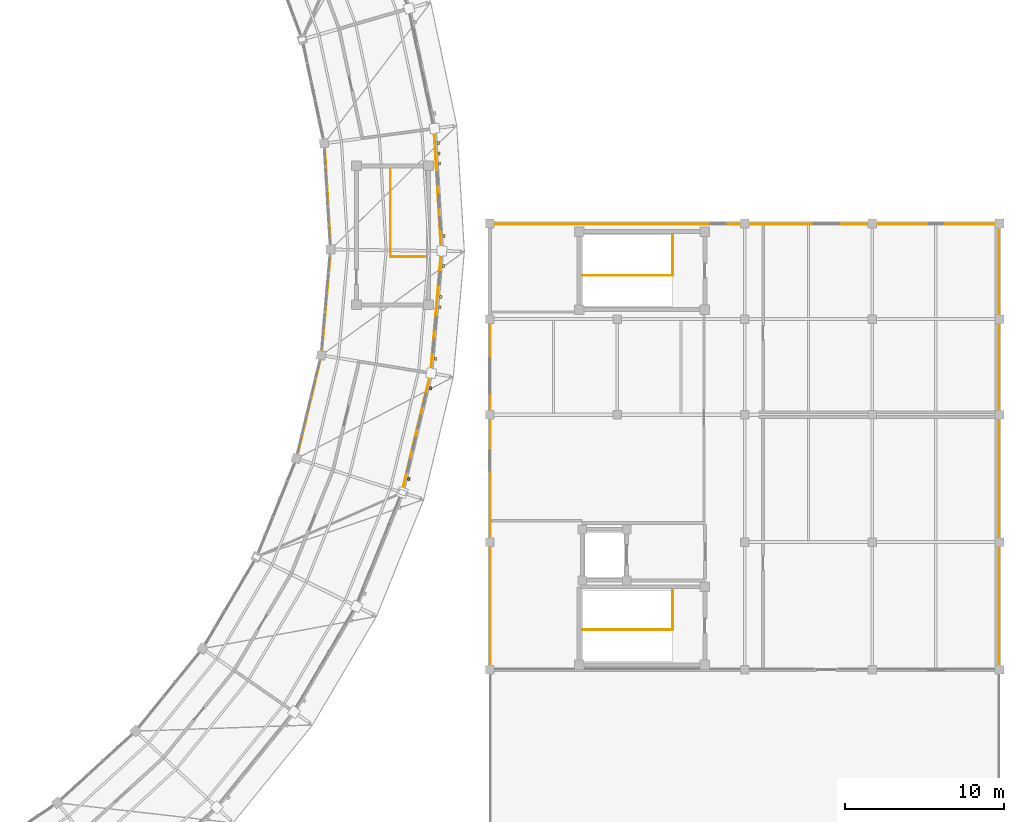
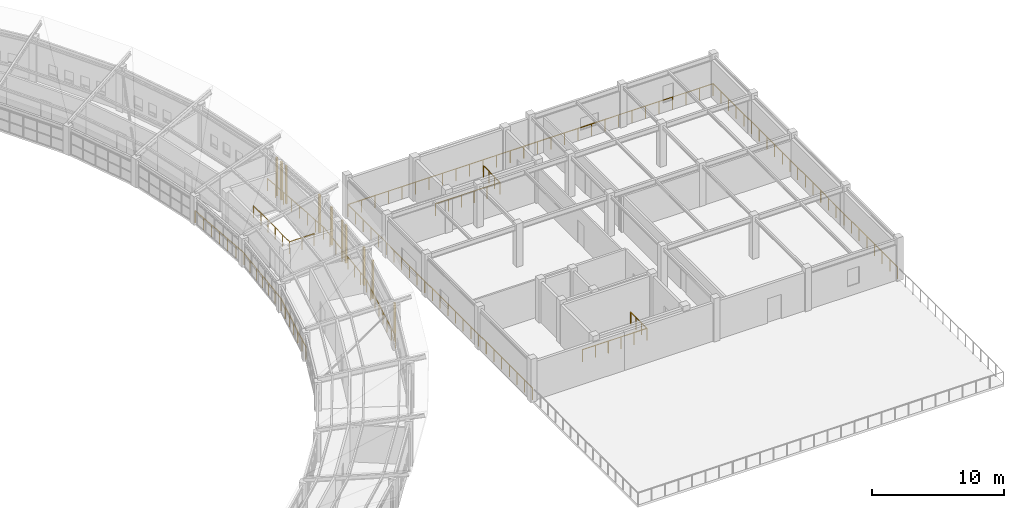
# One storey, part 148 of 149: 15 railings, 10 coverings.
"""IFC4 building model written with IfcOpenShell, lengths in metres."""

from ifc_helpers import new_model, si_unit, direction, frame, origin, origin_2d, place, context, subcontext, project, spatial, rectangle, circle, extrude, material, layer, layer_set, type_object, element, save


model = new_model("IFC4")

# Units and contexts
model_context = context("Model", 3, precision=1e-05, world=origin(), true_north=direction((0.0, 1.0)))
body_context = subcontext(model_context, "Body", "Model", "MODEL_VIEW")
ifc_project = project(units=[si_unit("LENGTHUNIT", "METRE"), si_unit("AREAUNIT", "SQUARE_METRE"), si_unit("VOLUMEUNIT", "CUBIC_METRE"), si_unit("PLANEANGLEUNIT", "RADIAN"), si_unit("MASSUNIT", "GRAM", prefix="KILO")], contexts=[model_context])

# Site, building, storey
site_placement = place(None, origin())
site = spatial("IfcSite", under=ifc_project, at=site_placement, CompositionType="ELEMENT")
building_placement = place(site_placement, origin())
building = spatial("IfcBuilding", under=site, at=building_placement, Name="Celadon Cloister-Ring School", CompositionType="ELEMENT")
storey_placement = place(building_placement, frame((0.0, 0.0, 12.5)))
storey = spatial("IfcBuildingStorey", under=building, at=storey_placement, Name="L03", CompositionType="ELEMENT", Elevation=12.5)

# Coverings
ifc_material_1 = material(Name="Perforated terracotta clay brick masonry", Category="masonry")
ifc_layer = layer(ifc_material_1, 0.139892578125)
ifc_layer_set = layer_set([ifc_layer], Name="Perforated terracotta clay brick masonry")
covering_type = type_object("IfcCoveringType", Name="CV-SC1", PredefinedType="CLADDING", material=ifc_layer_set)
for number, where, z_axis, x_axis, name in (
    (1, (138.27294921875, 49.6650390625, -0.00048828125), (0.0, 0.0, 1.0), (-0.233988401232, -0.972239388263, 0.0), "Brick Screen Rib 0398"),
    (2, (136.904052734375, 43.97705078125, -0.00048828125), (0.0, 0.0, 1.0), (-0.233988401232, -0.972239388263, 0.0), "Brick Screen Rib 0399"),
    (3, (139.090087890625, 57.342041015625, -0.00048828125), (0.0, 0.0, 1.0), (-0.087972896574, -0.996122868661, 0.0), "Brick Screen Rib 0400"),
    (4, (138.9189453125, 55.39990234375, -0.00048828125), (0.0, 0.0, 1.0), (-0.087972896574, -0.996122868661, 0.0), "Brick Screen Rib 0401"),
    (5, (138.861083984375, 54.751953125, -0.00048828125), (0.0, 0.0, 1.0), (-0.087972896574, -0.996122868661, 0.0), "Brick Screen Rib 0402"),
    (6, (138.574951171875, 51.514892578125, -0.00048828125), (0.0, 0.0, 1.0), (-0.087972896574, -0.996122868661, 0.0), "Brick Screen Rib 0403"),
    (7, (138.763916015625, 65.055908203125, -0.00048828125), (0.0, 0.0, 1.0), (0.060142636109, -0.998189793237, 0.0), "Brick Screen Rib 0404"),
    (8, (138.802978515625, 64.407958984375, -0.00048828125), (0.0, 0.0, 1.0), (0.060142636109, -0.998189793237, 0.0), "Brick Screen Rib 0405"),
    (9, (138.842041015625, 63.759033203125, -0.00048828125), (0.0, 0.0, 1.0), (0.060142636109, -0.998189793237, 0.0), "Brick Screen Rib 0406"),
    (10, (139.115966796875, 59.217041015625, -0.00048828125), (0.0, 0.0, 1.0), (0.060142636109, -0.998189793237, 0.0), "Brick Screen Rib 0407"),
):
    element("IfcCovering", number, at=place(storey_placement, frame(where, z_axis=z_axis, x_axis=x_axis)), inside=storey, type_object=covering_type, Name=name, PredefinedType="CLADDING", context=body_context, shape_type="SweptSolid", body=[
        extrude(rectangle(XDim=0.179931640625, YDim=0.139892578125, at=origin_2d()), origin(), (0.0, 0.0, 1.0), 3.51708984375),
    ])

# Railings
ifc_material_2 = material(Name="Structural steel S355JR", Category="steel")
railing_type_1 = type_object("IfcRailingType", Name="RL-BL1", PredefinedType="BALUSTRADE", material=ifc_material_2)
railing_1_placement = place(storey_placement, frame((136.47705078125, 43.1298828125, 0.0)))
element("IfcRailing", 11, at=railing_1_placement, inside=storey, type_object=railing_type_1, Name="Terrace Balustrade 0171", PredefinedType="BALUSTRADE", context=body_context, shape_type="SweptSolid", body=[
    extrude(circle(Radius=0.02392578125, at=origin_2d()), frame((0.0, 0.0, 1.09619140625), z_axis=(0.234086591506, 0.972215751609, 0.0), x_axis=(-0.972215751609, 0.234086591506, 0.0)), (0.0, 0.0, 1.0), 7.697998046875),
    extrude(circle(Radius=0.02099609375, at=origin_2d()), origin(), (0.0, 0.0, 1.0), 1.072021484375),
    extrude(circle(Radius=0.02099609375, at=origin_2d()), frame((0.25732421875, 1.069091796875, 0.0)), (0.0, 0.0, 1.0), 1.072021484375),
    extrude(circle(Radius=0.02099609375, at=origin_2d()), frame((0.514892578125, 2.138427734375, 0.0)), (0.0, 0.0, 1.0), 1.072021484375),
    extrude(circle(Radius=0.02099609375, at=origin_2d()), frame((0.772216796875, 3.20751953125, 0.0)), (0.0, 0.0, 1.0), 1.072021484375),
    extrude(circle(Radius=0.02099609375, at=origin_2d()), frame((1.02978515625, 4.276611328125, 0.0)), (0.0, 0.0, 1.0), 1.072021484375),
    extrude(circle(Radius=0.02099609375, at=origin_2d()), frame((1.287109375, 5.345703125, 0.0)), (0.0, 0.0, 1.0), 1.072021484375),
    extrude(circle(Radius=0.02099609375, at=origin_2d()), frame((1.544677734375, 6.4150390625, 0.0)), (0.0, 0.0, 1.0), 1.072021484375),
    extrude(circle(Radius=0.02099609375, at=origin_2d()), frame((1.802001953125, 7.484130859375, 0.0)), (0.0, 0.0, 1.0), 1.072021484375),
])
railing_2_placement = place(storey_placement, frame((138.279052734375, 50.614013671875, 0.0)))
element("IfcRailing", 12, at=railing_2_placement, inside=storey, type_object=railing_type_1, Name="Terrace Balustrade 0172", PredefinedType="BALUSTRADE", context=body_context, shape_type="SweptSolid", body=[
    extrude(circle(Radius=0.02392578125, at=origin_2d()), frame((0.0, 0.0, 1.09619140625), z_axis=(0.08782161192, 0.996136217834, 0.0), x_axis=(-0.996136217834, 0.08782161192, 0.0)), (0.0, 0.0, 1.0), 7.69775390625),
    extrude(circle(Radius=0.02099609375, at=origin_2d()), origin(), (0.0, 0.0, 1.0), 1.072021484375),
    extrude(circle(Radius=0.02099609375, at=origin_2d()), frame((0.0966796875, 1.095458984375, 0.0)), (0.0, 0.0, 1.0), 1.072021484375),
    extrude(circle(Radius=0.02099609375, at=origin_2d()), frame((0.193115234375, 2.19091796875, 0.0)), (0.0, 0.0, 1.0), 1.072021484375),
    extrude(circle(Radius=0.02099609375, at=origin_2d()), frame((0.289794921875, 3.286376953125, 0.0)), (0.0, 0.0, 1.0), 1.072021484375),
    extrude(circle(Radius=0.02099609375, at=origin_2d()), frame((0.38623046875, 4.381591796875, 0.0)), (0.0, 0.0, 1.0), 1.072021484375),
    extrude(circle(Radius=0.02099609375, at=origin_2d()), frame((0.48291015625, 5.47705078125, 0.0)), (0.0, 0.0, 1.0), 1.072021484375),
    extrude(circle(Radius=0.02099609375, at=origin_2d()), frame((0.579345703125, 6.572509765625, 0.0)), (0.0, 0.0, 1.0), 1.072021484375),
    extrude(circle(Radius=0.02099609375, at=origin_2d()), frame((0.676025390625, 7.66796875, 0.0)), (0.0, 0.0, 1.0), 1.072021484375),
])
railing_3_placement = place(storey_placement, frame((138.955078125, 58.281982421875, 0.0)))
element("IfcRailing", 13, at=railing_3_placement, inside=storey, type_object=railing_type_1, Name="Terrace Balustrade 0173", PredefinedType="BALUSTRADE", context=body_context, shape_type="SweptSolid", body=[
    extrude(circle(Radius=0.02392578125, at=origin_2d()), frame((0.0, 0.0, 1.09619140625), z_axis=(-0.060289190769, 0.998180952271, 0.0), x_axis=(-0.998180952271, -0.060289190769, 0.0)), (0.0, 0.0, 1.0), 7.697998046875),
    extrude(circle(Radius=0.02099609375, at=origin_2d()), origin(), (0.0, 0.0, 1.0), 1.072021484375),
    extrude(circle(Radius=0.02099609375, at=origin_2d()), frame((-0.06640625, 1.09765625, 0.0)), (0.0, 0.0, 1.0), 1.072021484375),
    extrude(circle(Radius=0.02099609375, at=origin_2d()), frame((-0.132568359375, 2.195556640625, 0.0)), (0.0, 0.0, 1.0), 1.072021484375),
    extrude(circle(Radius=0.02099609375, at=origin_2d()), frame((-0.198974609375, 3.293212890625, 0.0)), (0.0, 0.0, 1.0), 1.072021484375),
    extrude(circle(Radius=0.02099609375, at=origin_2d()), frame((-0.26513671875, 4.390869140625, 0.0)), (0.0, 0.0, 1.0), 1.072021484375),
    extrude(circle(Radius=0.02099609375, at=origin_2d()), frame((-0.33154296875, 5.488525390625, 0.0)), (0.0, 0.0, 1.0), 1.072021484375),
    extrude(circle(Radius=0.02099609375, at=origin_2d()), frame((-0.397705078125, 6.58642578125, 0.0)), (0.0, 0.0, 1.0), 1.072021484375),
    extrude(circle(Radius=0.02099609375, at=origin_2d()), frame((-0.464111328125, 7.68408203125, 0.0)), (0.0, 0.0, 1.0), 1.072021484375),
])
railing_4_placement = place(storey_placement, frame((129.887939453125, 45.242919921875, 0.0)))
element("IfcRailing", 14, at=railing_4_placement, inside=storey, type_object=railing_type_1, Name="Terrace Balustrade 0206", PredefinedType="BALUSTRADE", context=body_context, shape_type="SweptSolid", body=[
    extrude(circle(Radius=0.02392578125, at=origin_2d()), frame((0.0, 0.0, 1.09619140625), z_axis=(0.234064724834, 0.972221016327, 0.0), x_axis=(-0.972221016327, 0.234064724834, 0.0)), (0.0, 0.0, 1.0), 6.67333984375),
    extrude(circle(Radius=0.02099609375, at=origin_2d()), origin(), (0.0, 0.0, 1.0), 1.072021484375),
    extrude(circle(Radius=0.02099609375, at=origin_2d()), frame((0.26025390625, 1.081298828125, 0.0)), (0.0, 0.0, 1.0), 1.072021484375),
    extrude(circle(Radius=0.02099609375, at=origin_2d()), frame((0.520751953125, 2.16259765625, 0.0)), (0.0, 0.0, 1.0), 1.072021484375),
    extrude(circle(Radius=0.02099609375, at=origin_2d()), frame((0.781005859375, 3.244140625, 0.0)), (0.0, 0.0, 1.0), 1.072021484375),
    extrude(circle(Radius=0.02099609375, at=origin_2d()), frame((1.041259765625, 4.325439453125, 0.0)), (0.0, 0.0, 1.0), 1.072021484375),
    extrude(circle(Radius=0.02099609375, at=origin_2d()), frame((1.3017578125, 5.40673828125, 0.0)), (0.0, 0.0, 1.0), 1.072021484375),
    extrude(circle(Radius=0.02099609375, at=origin_2d()), frame((1.56201171875, 6.488037109375, 0.0)), (0.0, 0.0, 1.0), 1.072021484375),
])
railing_5_placement = place(storey_placement, frame((131.449951171875, 51.73095703125, 0.0)))
element("IfcRailing", 15, at=railing_5_placement, inside=storey, type_object=railing_type_1, Name="Terrace Balustrade 0207", PredefinedType="BALUSTRADE", context=body_context, shape_type="SweptSolid", body=[
    extrude(circle(Radius=0.02392578125, at=origin_2d()), frame((0.0, 0.0, 1.09619140625), z_axis=(0.087823325262, 0.99613606678, 0.0), x_axis=(-0.99613606678, 0.087823325262, 0.0)), (0.0, 0.0, 1.0), 6.671875),
    extrude(circle(Radius=0.02099609375, at=origin_2d()), origin(), (0.0, 0.0, 1.0), 1.072021484375),
    extrude(circle(Radius=0.02099609375, at=origin_2d()), frame((0.09765625, 1.107666015625, 0.0)), (0.0, 0.0, 1.0), 1.072021484375),
    extrude(circle(Radius=0.02099609375, at=origin_2d()), frame((0.1953125, 2.21533203125, 0.0)), (0.0, 0.0, 1.0), 1.072021484375),
    extrude(circle(Radius=0.02099609375, at=origin_2d()), frame((0.29296875, 3.322998046875, 0.0)), (0.0, 0.0, 1.0), 1.072021484375),
    extrude(circle(Radius=0.02099609375, at=origin_2d()), frame((0.390625, 4.4306640625, 0.0)), (0.0, 0.0, 1.0), 1.072021484375),
    extrude(circle(Radius=0.02099609375, at=origin_2d()), frame((0.48828125, 5.538330078125, 0.0)), (0.0, 0.0, 1.0), 1.072021484375),
    extrude(circle(Radius=0.02099609375, at=origin_2d()), frame((0.5859375, 6.64599609375, 0.0)), (0.0, 0.0, 1.0), 1.072021484375),
])
railing_6_placement = place(storey_placement, frame((132.035888671875, 58.376953125, 0.0)))
element("IfcRailing", 16, at=railing_6_placement, inside=storey, type_object=railing_type_1, Name="Terrace Balustrade 0208", PredefinedType="BALUSTRADE", context=body_context, shape_type="SweptSolid", body=[
    extrude(circle(Radius=0.02392578125, at=origin_2d()), frame((0.0, 0.0, 1.09619140625), z_axis=(-0.060364720691, 0.998176387467, 0.0), x_axis=(-0.998176387467, -0.060364720691, 0.0)), (0.0, 0.0, 1.0), 6.67333984375),
    extrude(circle(Radius=0.02099609375, at=origin_2d()), origin(), (0.0, 0.0, 1.0), 1.072021484375),
    extrude(circle(Radius=0.02099609375, at=origin_2d()), frame((-0.067138671875, 1.110107421875, 0.0)), (0.0, 0.0, 1.0), 1.072021484375),
    extrude(circle(Radius=0.02099609375, at=origin_2d()), frame((-0.13427734375, 2.220458984375, 0.0)), (0.0, 0.0, 1.0), 1.072021484375),
    extrude(circle(Radius=0.02099609375, at=origin_2d()), frame((-0.201416015625, 3.33056640625, 0.0)), (0.0, 0.0, 1.0), 1.072021484375),
    extrude(circle(Radius=0.02099609375, at=origin_2d()), frame((-0.2685546875, 4.440673828125, 0.0)), (0.0, 0.0, 1.0), 1.072021484375),
    extrude(circle(Radius=0.02099609375, at=origin_2d()), frame((-0.335693359375, 5.551025390625, 0.0)), (0.0, 0.0, 1.0), 1.072021484375),
    extrude(circle(Radius=0.02099609375, at=origin_2d()), frame((-0.40283203125, 6.6611328125, 0.0)), (0.0, 0.0, 1.0), 1.072021484375),
])
railing_7_placement = place(storey_placement, frame((142.0400390625, 32.0400390625, 0.0)))
element("IfcRailing", 17, at=railing_7_placement, inside=storey, type_object=railing_type_1, Name="Terrace Balustrade 0439", PredefinedType="BALUSTRADE", context=body_context, shape_type="SweptSolid", body=[
    extrude(circle(Radius=0.02392578125, at=origin_2d()), frame((0.0, 0.0, 1.09619140625), z_axis=(0.0, 1.0, 0.0), x_axis=(-1.0, 0.0, 0.0)), (0.0, 0.0, 1.0), 27.919921875),
    extrude(circle(Radius=0.02099609375, at=origin_2d()), origin(), (0.0, 0.0, 1.0), 1.072021484375),
    extrude(circle(Radius=0.02099609375, at=origin_2d()), frame((0.0, 1.163330078125, 0.0)), (0.0, 0.0, 1.0), 1.072021484375),
    extrude(circle(Radius=0.02099609375, at=origin_2d()), frame((0.0, 2.32666015625, 0.0)), (0.0, 0.0, 1.0), 1.072021484375),
    extrude(circle(Radius=0.02099609375, at=origin_2d()), frame((0.0, 3.489990234375, 0.0)), (0.0, 0.0, 1.0), 1.072021484375),
    extrude(circle(Radius=0.02099609375, at=origin_2d()), frame((0.0, 4.6533203125, 0.0)), (0.0, 0.0, 1.0), 1.072021484375),
    extrude(circle(Radius=0.02099609375, at=origin_2d()), frame((0.0, 5.816650390625, 0.0)), (0.0, 0.0, 1.0), 1.072021484375),
    extrude(circle(Radius=0.02099609375, at=origin_2d()), frame((0.0, 6.97998046875, 0.0)), (0.0, 0.0, 1.0), 1.072021484375),
    extrude(circle(Radius=0.02099609375, at=origin_2d()), frame((0.0, 8.143310546875, 0.0)), (0.0, 0.0, 1.0), 1.072021484375),
    extrude(circle(Radius=0.02099609375, at=origin_2d()), frame((0.0, 9.306640625, 0.0)), (0.0, 0.0, 1.0), 1.072021484375),
    extrude(circle(Radius=0.02099609375, at=origin_2d()), frame((0.0, 10.469970703125, 0.0)), (0.0, 0.0, 1.0), 1.072021484375),
    extrude(circle(Radius=0.02099609375, at=origin_2d()), frame((0.0, 11.63330078125, 0.0)), (0.0, 0.0, 1.0), 1.072021484375),
    extrude(circle(Radius=0.02099609375, at=origin_2d()), frame((0.0, 12.796630859375, 0.0)), (0.0, 0.0, 1.0), 1.072021484375),
    extrude(circle(Radius=0.02099609375, at=origin_2d()), frame((0.0, 13.9599609375, 0.0)), (0.0, 0.0, 1.0), 1.072021484375),
    extrude(circle(Radius=0.02099609375, at=origin_2d()), frame((0.0, 15.123291015625, 0.0)), (0.0, 0.0, 1.0), 1.072021484375),
    extrude(circle(Radius=0.02099609375, at=origin_2d()), frame((0.0, 16.28662109375, 0.0)), (0.0, 0.0, 1.0), 1.072021484375),
    extrude(circle(Radius=0.02099609375, at=origin_2d()), frame((0.0, 17.449951171875, 0.0)), (0.0, 0.0, 1.0), 1.072021484375),
    extrude(circle(Radius=0.02099609375, at=origin_2d()), frame((0.0, 18.61328125, 0.0)), (0.0, 0.0, 1.0), 1.072021484375),
    extrude(circle(Radius=0.02099609375, at=origin_2d()), frame((0.0, 19.776611328125, 0.0)), (0.0, 0.0, 1.0), 1.072021484375),
    extrude(circle(Radius=0.02099609375, at=origin_2d()), frame((0.0, 20.93994140625, 0.0)), (0.0, 0.0, 1.0), 1.072021484375),
    extrude(circle(Radius=0.02099609375, at=origin_2d()), frame((0.0, 22.103271484375, 0.0)), (0.0, 0.0, 1.0), 1.072021484375),
    extrude(circle(Radius=0.02099609375, at=origin_2d()), frame((0.0, 23.2666015625, 0.0)), (0.0, 0.0, 1.0), 1.072021484375),
    extrude(circle(Radius=0.02099609375, at=origin_2d()), frame((0.0, 24.429931640625, 0.0)), (0.0, 0.0, 1.0), 1.072021484375),
    extrude(circle(Radius=0.02099609375, at=origin_2d()), frame((0.0, 25.59326171875, 0.0)), (0.0, 0.0, 1.0), 1.072021484375),
    extrude(circle(Radius=0.02099609375, at=origin_2d()), frame((0.0, 26.756591796875, 0.0)), (0.0, 0.0, 1.0), 1.072021484375),
    extrude(circle(Radius=0.02099609375, at=origin_2d()), frame((0.0, 27.919921875, 0.0)), (0.0, 0.0, 1.0), 1.072021484375),
])
railing_8_placement = place(storey_placement, frame((142.0400390625, 59.9599609375, 0.0)))
element("IfcRailing", 18, at=railing_8_placement, inside=storey, type_object=railing_type_1, Name="Terrace Balustrade 0440", PredefinedType="BALUSTRADE", context=body_context, shape_type="SweptSolid", body=[
    extrude(circle(Radius=0.02392578125, at=origin_2d()), frame((0.0, 0.0, 1.09619140625), z_axis=(1.0, 0.0, 0.0), x_axis=(0.0, 1.0, 0.0)), (0.0, 0.0, 1.0), 31.919921875),
    extrude(circle(Radius=0.02099609375, at=origin_2d()), origin(), (0.0, 0.0, 1.0), 1.072021484375),
    extrude(circle(Radius=0.02099609375, at=origin_2d()), frame((1.18212890625, 0.0, 0.0)), (0.0, 0.0, 1.0), 1.072021484375),
    extrude(circle(Radius=0.02099609375, at=origin_2d()), frame((2.364501953125, 0.0, 0.0)), (0.0, 0.0, 1.0), 1.072021484375),
    extrude(circle(Radius=0.02099609375, at=origin_2d()), frame((3.546630859375, 0.0, 0.0)), (0.0, 0.0, 1.0), 1.072021484375),
    extrude(circle(Radius=0.02099609375, at=origin_2d()), frame((4.728759765625, 0.0, 0.0)), (0.0, 0.0, 1.0), 1.072021484375),
    extrude(circle(Radius=0.02099609375, at=origin_2d()), frame((5.9111328125, 0.0, 0.0)), (0.0, 0.0, 1.0), 1.072021484375),
    extrude(circle(Radius=0.02099609375, at=origin_2d()), frame((7.09326171875, 0.0, 0.0)), (0.0, 0.0, 1.0), 1.072021484375),
    extrude(circle(Radius=0.02099609375, at=origin_2d()), frame((8.275634765625, 0.0, 0.0)), (0.0, 0.0, 1.0), 1.072021484375),
    extrude(circle(Radius=0.02099609375, at=origin_2d()), frame((9.457763671875, 0.0, 0.0)), (0.0, 0.0, 1.0), 1.072021484375),
    extrude(circle(Radius=0.02099609375, at=origin_2d()), frame((10.639892578125, 0.0, 0.0)), (0.0, 0.0, 1.0), 1.072021484375),
    extrude(circle(Radius=0.02099609375, at=origin_2d()), frame((11.822265625, 0.0, 0.0)), (0.0, 0.0, 1.0), 1.072021484375),
    extrude(circle(Radius=0.02099609375, at=origin_2d()), frame((13.00439453125, 0.0, 0.0)), (0.0, 0.0, 1.0), 1.072021484375),
    extrude(circle(Radius=0.02099609375, at=origin_2d()), frame((14.1865234375, 0.0, 0.0)), (0.0, 0.0, 1.0), 1.072021484375),
    extrude(circle(Radius=0.02099609375, at=origin_2d()), frame((15.368896484375, 0.0, 0.0)), (0.0, 0.0, 1.0), 1.072021484375),
    extrude(circle(Radius=0.02099609375, at=origin_2d()), frame((16.551025390625, 0.0, 0.0)), (0.0, 0.0, 1.0), 1.072021484375),
    extrude(circle(Radius=0.02099609375, at=origin_2d()), frame((17.7333984375, 0.0, 0.0)), (0.0, 0.0, 1.0), 1.072021484375),
    extrude(circle(Radius=0.02099609375, at=origin_2d()), frame((18.91552734375, 0.0, 0.0)), (0.0, 0.0, 1.0), 1.072021484375),
    extrude(circle(Radius=0.02099609375, at=origin_2d()), frame((20.09765625, 0.0, 0.0)), (0.0, 0.0, 1.0), 1.072021484375),
    extrude(circle(Radius=0.02099609375, at=origin_2d()), frame((21.280029296875, 0.0, 0.0)), (0.0, 0.0, 1.0), 1.072021484375),
    extrude(circle(Radius=0.02099609375, at=origin_2d()), frame((22.462158203125, 0.0, 0.0)), (0.0, 0.0, 1.0), 1.072021484375),
    extrude(circle(Radius=0.02099609375, at=origin_2d()), frame((23.644287109375, 0.0, 0.0)), (0.0, 0.0, 1.0), 1.072021484375),
    extrude(circle(Radius=0.02099609375, at=origin_2d()), frame((24.82666015625, 0.0, 0.0)), (0.0, 0.0, 1.0), 1.072021484375),
    extrude(circle(Radius=0.02099609375, at=origin_2d()), frame((26.0087890625, 0.0, 0.0)), (0.0, 0.0, 1.0), 1.072021484375),
    extrude(circle(Radius=0.02099609375, at=origin_2d()), frame((27.191162109375, 0.0, 0.0)), (0.0, 0.0, 1.0), 1.072021484375),
    extrude(circle(Radius=0.02099609375, at=origin_2d()), frame((28.373291015625, 0.0, 0.0)), (0.0, 0.0, 1.0), 1.072021484375),
    extrude(circle(Radius=0.02099609375, at=origin_2d()), frame((29.555419921875, 0.0, 0.0)), (0.0, 0.0, 1.0), 1.072021484375),
    extrude(circle(Radius=0.02099609375, at=origin_2d()), frame((30.73779296875, 0.0, 0.0)), (0.0, 0.0, 1.0), 1.072021484375),
    extrude(circle(Radius=0.02099609375, at=origin_2d()), frame((31.919921875, 0.0, 0.0)), (0.0, 0.0, 1.0), 1.072021484375),
])
railing_9_placement = place(storey_placement, frame((173.9599609375, 59.9599609375, 0.0)))
element("IfcRailing", 19, at=railing_9_placement, inside=storey, type_object=railing_type_1, Name="Terrace Balustrade 0441", PredefinedType="BALUSTRADE", context=body_context, shape_type="SweptSolid", body=[
    extrude(circle(Radius=0.02392578125, at=origin_2d()), frame((0.0, 0.0, 1.09619140625), z_axis=(0.0, -1.0, 0.0), x_axis=(1.0, 0.0, 0.0)), (0.0, 0.0, 1.0), 27.919921875),
    extrude(circle(Radius=0.02099609375, at=origin_2d()), origin(), (0.0, 0.0, 1.0), 1.072021484375),
    extrude(circle(Radius=0.02099609375, at=origin_2d()), frame((0.0, -1.163330078125, 0.0)), (0.0, 0.0, 1.0), 1.072021484375),
    extrude(circle(Radius=0.02099609375, at=origin_2d()), frame((0.0, -2.32666015625, 0.0)), (0.0, 0.0, 1.0), 1.072021484375),
    extrude(circle(Radius=0.02099609375, at=origin_2d()), frame((0.0, -3.489990234375, 0.0)), (0.0, 0.0, 1.0), 1.072021484375),
    extrude(circle(Radius=0.02099609375, at=origin_2d()), frame((0.0, -4.6533203125, 0.0)), (0.0, 0.0, 1.0), 1.072021484375),
    extrude(circle(Radius=0.02099609375, at=origin_2d()), frame((0.0, -5.816650390625, 0.0)), (0.0, 0.0, 1.0), 1.072021484375),
    extrude(circle(Radius=0.02099609375, at=origin_2d()), frame((0.0, -6.97998046875, 0.0)), (0.0, 0.0, 1.0), 1.072021484375),
    extrude(circle(Radius=0.02099609375, at=origin_2d()), frame((0.0, -8.143310546875, 0.0)), (0.0, 0.0, 1.0), 1.072021484375),
    extrude(circle(Radius=0.02099609375, at=origin_2d()), frame((0.0, -9.306640625, 0.0)), (0.0, 0.0, 1.0), 1.072021484375),
    extrude(circle(Radius=0.02099609375, at=origin_2d()), frame((0.0, -10.469970703125, 0.0)), (0.0, 0.0, 1.0), 1.072021484375),
    extrude(circle(Radius=0.02099609375, at=origin_2d()), frame((0.0, -11.63330078125, 0.0)), (0.0, 0.0, 1.0), 1.072021484375),
    extrude(circle(Radius=0.02099609375, at=origin_2d()), frame((0.0, -12.796630859375, 0.0)), (0.0, 0.0, 1.0), 1.072021484375),
    extrude(circle(Radius=0.02099609375, at=origin_2d()), frame((0.0, -13.9599609375, 0.0)), (0.0, 0.0, 1.0), 1.072021484375),
    extrude(circle(Radius=0.02099609375, at=origin_2d()), frame((0.0, -15.123291015625, 0.0)), (0.0, 0.0, 1.0), 1.072021484375),
    extrude(circle(Radius=0.02099609375, at=origin_2d()), frame((0.0, -16.28662109375, 0.0)), (0.0, 0.0, 1.0), 1.072021484375),
    extrude(circle(Radius=0.02099609375, at=origin_2d()), frame((0.0, -17.449951171875, 0.0)), (0.0, 0.0, 1.0), 1.072021484375),
    extrude(circle(Radius=0.02099609375, at=origin_2d()), frame((0.0, -18.61328125, 0.0)), (0.0, 0.0, 1.0), 1.072021484375),
    extrude(circle(Radius=0.02099609375, at=origin_2d()), frame((0.0, -19.776611328125, 0.0)), (0.0, 0.0, 1.0), 1.072021484375),
    extrude(circle(Radius=0.02099609375, at=origin_2d()), frame((0.0, -20.93994140625, 0.0)), (0.0, 0.0, 1.0), 1.072021484375),
    extrude(circle(Radius=0.02099609375, at=origin_2d()), frame((0.0, -22.103271484375, 0.0)), (0.0, 0.0, 1.0), 1.072021484375),
    extrude(circle(Radius=0.02099609375, at=origin_2d()), frame((0.0, -23.2666015625, 0.0)), (0.0, 0.0, 1.0), 1.072021484375),
    extrude(circle(Radius=0.02099609375, at=origin_2d()), frame((0.0, -24.429931640625, 0.0)), (0.0, 0.0, 1.0), 1.072021484375),
    extrude(circle(Radius=0.02099609375, at=origin_2d()), frame((0.0, -25.59326171875, 0.0)), (0.0, 0.0, 1.0), 1.072021484375),
    extrude(circle(Radius=0.02099609375, at=origin_2d()), frame((0.0, -26.756591796875, 0.0)), (0.0, 0.0, 1.0), 1.072021484375),
    extrude(circle(Radius=0.02099609375, at=origin_2d()), frame((0.0, -27.919921875, 0.0)), (0.0, 0.0, 1.0), 1.072021484375),
])
ifc_material_3 = material(Name="Structural steel S355JR", Category="steel")
railing_type_2 = type_object("IfcRailingType", Name="RL-BL2", PredefinedType="BALUSTRADE", material=ifc_material_3)
railing_10_placement = place(storey_placement, frame((153.47998046875, 36.9599609375, 0.0)))
element("IfcRailing", 20, at=railing_10_placement, inside=storey, type_object=railing_type_2, Name="Interior Guard 0188", PredefinedType="BALUSTRADE", context=body_context, shape_type="SweptSolid", body=[
    extrude(circle(Radius=0.02392578125, at=origin_2d()), frame((0.0, 0.0, 1.09619140625), z_axis=(0.0, -1.0, 0.0), x_axis=(1.0, 0.0, 0.0)), (0.0, 0.0, 1.0), 2.4599609375),
    extrude(circle(Radius=0.02099609375, at=origin_2d()), origin(), (0.0, 0.0, 1.0), 1.072021484375),
    extrude(circle(Radius=0.02099609375, at=origin_2d()), frame((0.0, -0.820068359375, 0.0)), (0.0, 0.0, 1.0), 1.072021484375),
    extrude(circle(Radius=0.02099609375, at=origin_2d()), frame((0.0, -1.639892578125, 0.0)), (0.0, 0.0, 1.0), 1.072021484375),
    extrude(circle(Radius=0.02099609375, at=origin_2d()), frame((0.0, -2.4599609375, 0.0)), (0.0, 0.0, 1.0), 1.072021484375),
])
railing_11_placement = place(storey_placement, frame((153.47998046875, 34.5, 0.0)))
element("IfcRailing", 21, at=railing_11_placement, inside=storey, type_object=railing_type_2, Name="Interior Guard 0189", PredefinedType="BALUSTRADE", context=body_context, shape_type="SweptSolid", body=[
    extrude(circle(Radius=0.02392578125, at=origin_2d()), frame((0.0, 0.0, 1.09619140625), z_axis=(-1.0, 0.0, 0.0), x_axis=(0.0, -1.0, 0.0)), (0.0, 0.0, 1.0), 5.639892578125),
    extrude(circle(Radius=0.02099609375, at=origin_2d()), origin(), (0.0, 0.0, 1.0), 1.072021484375),
    extrude(circle(Radius=0.02099609375, at=origin_2d()), frame((-1.1279296875, 0.0, 0.0)), (0.0, 0.0, 1.0), 1.072021484375),
    extrude(circle(Radius=0.02099609375, at=origin_2d()), frame((-2.255859375, 0.0, 0.0)), (0.0, 0.0, 1.0), 1.072021484375),
    extrude(circle(Radius=0.02099609375, at=origin_2d()), frame((-3.384033203125, 0.0, 0.0)), (0.0, 0.0, 1.0), 1.072021484375),
    extrude(circle(Radius=0.02099609375, at=origin_2d()), frame((-4.511962890625, 0.0, 0.0)), (0.0, 0.0, 1.0), 1.072021484375),
    extrude(circle(Radius=0.02099609375, at=origin_2d()), frame((-5.639892578125, 0.0, 0.0)), (0.0, 0.0, 1.0), 1.072021484375),
])
railing_12_placement = place(storey_placement, frame((153.47998046875, 59.260009765625, 0.0)))
element("IfcRailing", 22, at=railing_12_placement, inside=storey, type_object=railing_type_2, Name="Interior Guard 0209", PredefinedType="BALUSTRADE", context=body_context, shape_type="SweptSolid", body=[
    extrude(circle(Radius=0.02392578125, at=origin_2d()), frame((0.0, 0.0, 1.09619140625), z_axis=(0.0, -1.0, 0.0), x_axis=(1.0, 0.0, 0.0)), (0.0, 0.0, 1.0), 2.52001953125),
    extrude(circle(Radius=0.02099609375, at=origin_2d()), origin(), (0.0, 0.0, 1.0), 1.072021484375),
    extrude(circle(Radius=0.02099609375, at=origin_2d()), frame((0.0, -0.840087890625, 0.0)), (0.0, 0.0, 1.0), 1.072021484375),
    extrude(circle(Radius=0.02099609375, at=origin_2d()), frame((0.0, -1.679931640625, 0.0)), (0.0, 0.0, 1.0), 1.072021484375),
    extrude(circle(Radius=0.02099609375, at=origin_2d()), frame((0.0, -2.52001953125, 0.0)), (0.0, 0.0, 1.0), 1.072021484375),
])
railing_13_placement = place(storey_placement, frame((153.47998046875, 56.739990234375, 0.0)))
element("IfcRailing", 23, at=railing_13_placement, inside=storey, type_object=railing_type_2, Name="Interior Guard 0210", PredefinedType="BALUSTRADE", context=body_context, shape_type="SweptSolid", body=[
    extrude(circle(Radius=0.02392578125, at=origin_2d()), frame((0.0, 0.0, 1.09619140625), z_axis=(-1.0, 0.0, 0.0), x_axis=(0.0, -1.0, 0.0)), (0.0, 0.0, 1.0), 5.639892578125),
    extrude(circle(Radius=0.02099609375, at=origin_2d()), origin(), (0.0, 0.0, 1.0), 1.072021484375),
    extrude(circle(Radius=0.02099609375, at=origin_2d()), frame((-1.1279296875, 0.0, 0.0)), (0.0, 0.0, 1.0), 1.072021484375),
    extrude(circle(Radius=0.02099609375, at=origin_2d()), frame((-2.255859375, 0.0, 0.0)), (0.0, 0.0, 1.0), 1.072021484375),
    extrude(circle(Radius=0.02099609375, at=origin_2d()), frame((-3.384033203125, 0.0, 0.0)), (0.0, 0.0, 1.0), 1.072021484375),
    extrude(circle(Radius=0.02099609375, at=origin_2d()), frame((-4.511962890625, 0.0, 0.0)), (0.0, 0.0, 1.0), 1.072021484375),
    extrude(circle(Radius=0.02099609375, at=origin_2d()), frame((-5.639892578125, 0.0, 0.0)), (0.0, 0.0, 1.0), 1.072021484375),
])
railing_14_placement = place(storey_placement, frame((137.909912109375, 57.9150390625, 0.0)))
element("IfcRailing", 24, at=railing_14_placement, inside=storey, type_object=railing_type_2, Name="Interior Guard 0272", PredefinedType="BALUSTRADE", context=body_context, shape_type="SweptSolid", body=[
    extrude(circle(Radius=0.02392578125, at=origin_2d()), frame((0.0, 0.0, 1.09619140625), z_axis=(-1.0, 0.0, 0.0), x_axis=(0.0, -1.0, 0.0)), (0.0, 0.0, 1.0), 2.139892578125),
    extrude(circle(Radius=0.02099609375, at=origin_2d()), origin(), (0.0, 0.0, 1.0), 1.072021484375),
    extrude(circle(Radius=0.02099609375, at=origin_2d()), frame((-1.06982421875, 0.0, 0.0)), (0.0, 0.0, 1.0), 1.072021484375),
    extrude(circle(Radius=0.02099609375, at=origin_2d()), frame((-2.139892578125, 0.0, 0.0)), (0.0, 0.0, 1.0), 1.072021484375),
])
railing_15_placement = place(storey_placement, frame((135.77001953125, 57.9150390625, 0.0)))
element("IfcRailing", 25, at=railing_15_placement, inside=storey, type_object=railing_type_2, Name="Interior Guard 0273", PredefinedType="BALUSTRADE", context=body_context, shape_type="SweptSolid", body=[
    extrude(circle(Radius=0.02392578125, at=origin_2d()), frame((0.0, 0.0, 1.09619140625), z_axis=(0.0, 1.0, 0.0), x_axis=(-1.0, 0.0, 0.0)), (0.0, 0.0, 1.0), 5.46484375),
    extrude(circle(Radius=0.02099609375, at=origin_2d()), origin(), (0.0, 0.0, 1.0), 1.072021484375),
    extrude(circle(Radius=0.02099609375, at=origin_2d()), frame((0.0, 1.093017578125, 0.0)), (0.0, 0.0, 1.0), 1.072021484375),
    extrude(circle(Radius=0.02099609375, at=origin_2d()), frame((0.0, 2.18603515625, 0.0)), (0.0, 0.0, 1.0), 1.072021484375),
    extrude(circle(Radius=0.02099609375, at=origin_2d()), frame((0.0, 3.27880859375, 0.0)), (0.0, 0.0, 1.0), 1.072021484375),
    extrude(circle(Radius=0.02099609375, at=origin_2d()), frame((0.0, 4.371826171875, 0.0)), (0.0, 0.0, 1.0), 1.072021484375),
    extrude(circle(Radius=0.02099609375, at=origin_2d()), frame((0.0, 5.46484375, 0.0)), (0.0, 0.0, 1.0), 1.072021484375),
])

save(model, "model.ifc")
